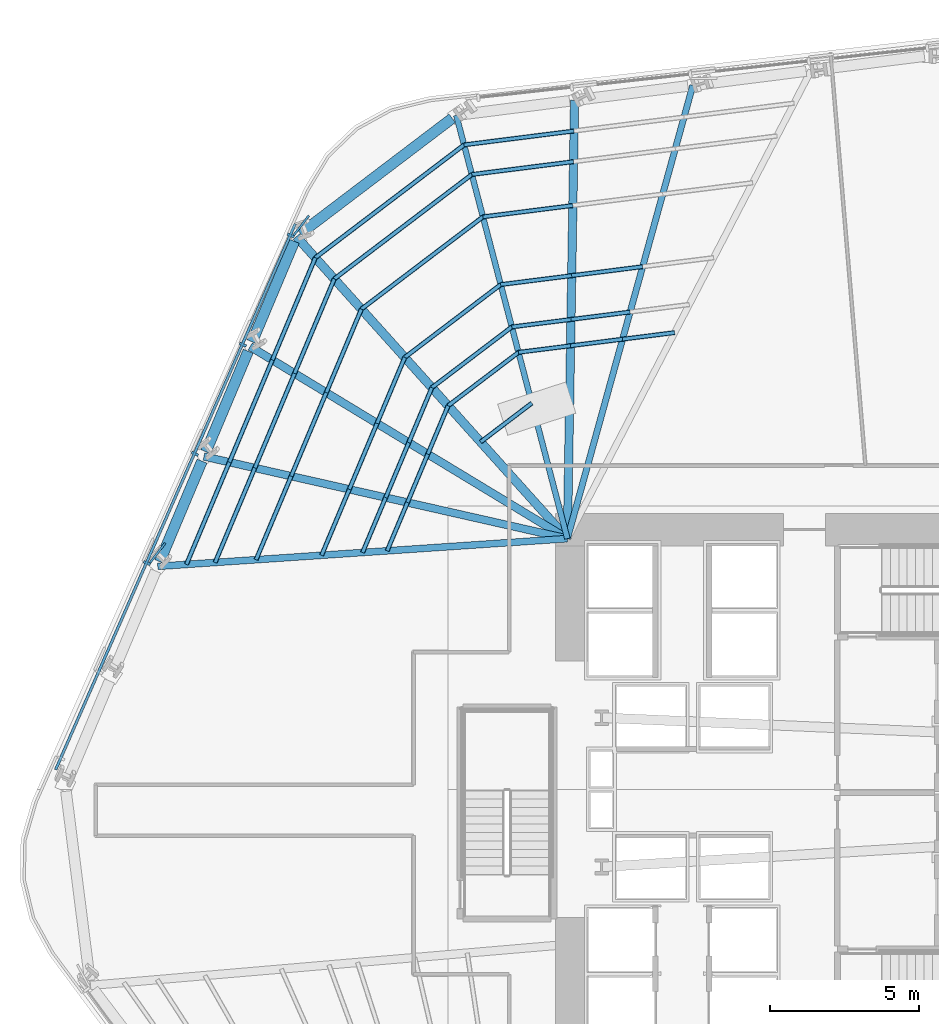
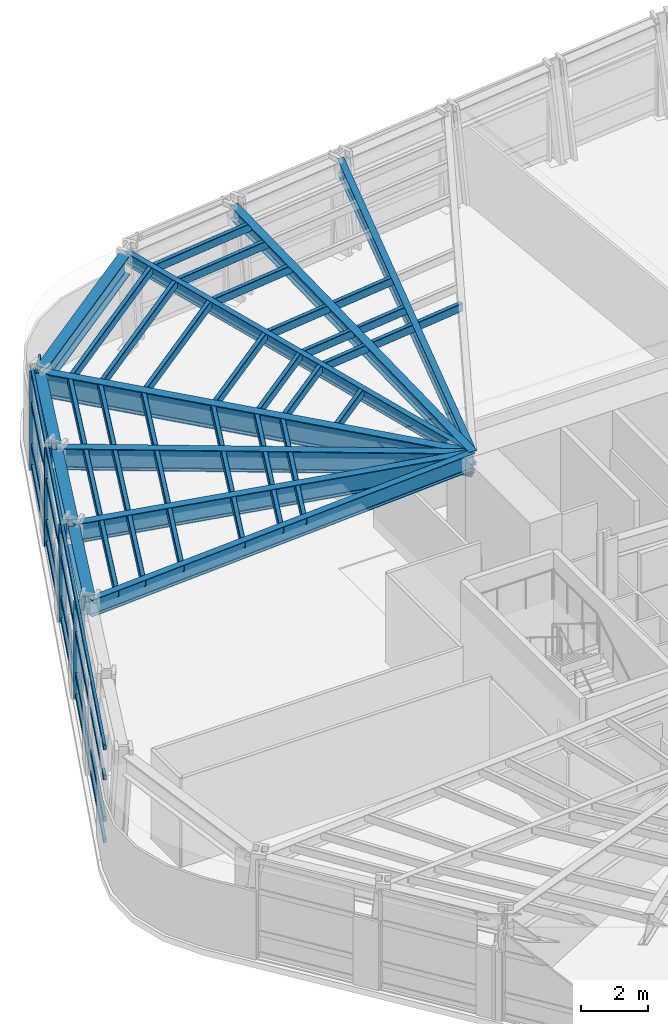
# One storey, part 5 of 16: 45 members, 11 beams, 1 element without a shape of its own.
"""IFC4 building model written with IfcOpenShell, lengths in metres."""

from ifc_helpers import new_model, si_unit, direction, frame, origin, origin_2d, place, context, subcontext, project, spatial, rectangle, hollow_rectangle, i_section, extrude, material, layer, layer_set, material_profile, profile_set, type_object, element, aggregate, save


model = new_model("IFC4")

# Units and contexts
model_context = context("Model", 3, precision=1e-05, world=origin(), true_north=direction((0.0, 1.0)))
body_context = subcontext(model_context, "Body", "Model", "MODEL_VIEW")
ifc_project = project(units=[si_unit("LENGTHUNIT", "METRE"), si_unit("AREAUNIT", "SQUARE_METRE"), si_unit("VOLUMEUNIT", "CUBIC_METRE"), si_unit("PLANEANGLEUNIT", "RADIAN"), si_unit("MASSUNIT", "GRAM", prefix="KILO")], contexts=[model_context])

# Site, building, storey
site_placement = place(None, origin())
site = spatial("IfcSite", under=ifc_project, at=site_placement, CompositionType="ELEMENT")
building_placement = place(site_placement, origin())
building = spatial("IfcBuilding", under=site, at=building_placement, Name="Valkerne Bourse Tower", CompositionType="ELEMENT")
storey_placement = place(building_placement, frame((0.0, 0.0, 50.60009765625)))
storey = spatial("IfcBuildingStorey", under=building, at=storey_placement, Name="L12", CompositionType="ELEMENT", Elevation=50.60009765625)

# Beams
ifc_material_1 = material(Name="Steel ASTM A992", Category="steel")
ifc_material_profile_1 = material_profile(ifc_material_1, i_section(OverallWidth=0.1904296875, OverallDepth=0.457275390625, WebThickness=0.009033203125, FlangeThickness=0.014404296875, FilletRadius=0.01513671875, at=origin_2d()), Name="W18X50")
ifc_profile_set_1 = profile_set([ifc_material_profile_1], Name="Steel ASTM A992")
beam_type_1 = type_object("IfcBeamType", Name="BM-W18X50", PredefinedType="JOIST", material=ifc_profile_set_1)
beam_1_placement = place(storey_placement, frame((33.876708984375, 49.590576171875, 3.351318359375), z_axis=(0.253792068107, -0.967258799994, 0.0), x_axis=(0.967258799994, 0.253792068107, 0.0)))
element("IfcBeam", 1, at=beam_1_placement, inside=storey, type_object=beam_type_1, Name="L12 Radial Composite Floor Beam 11", PredefinedType="JOIST", context=body_context, shape_type="SweptSolid", body=[
    extrude(i_section(OverallWidth=0.1904296875, OverallDepth=0.457275390625, WebThickness=0.009033203125, FlangeThickness=0.014404296875, FilletRadius=0.01513671875, at=origin_2d()), origin(), (0.0, 0.0, 1.0), 14.671142578125),
])
ifc_material_profile_2 = material_profile(ifc_material_1, i_section(OverallWidth=0.279296875, OverallDepth=0.46240234375, WebThickness=0.0107421875, FlangeThickness=0.017333984375, FilletRadius=0.017822265625, at=origin_2d()), Name="W18X76")
ifc_profile_set_2 = profile_set([ifc_material_profile_2], Name="Steel ASTM A992")
beam_type_2 = type_object("IfcBeamType", Name="BM-W18X76", PredefinedType="BEAM", material=ifc_profile_set_2)
beam_2_placement = place(storey_placement, frame((37.84130859375, 50.091552734375, 3.348876953125), z_axis=(-0.016416020491, -0.999865248057, 0.0), x_axis=(0.999865248057, -0.016416020491, 0.0)))
element("IfcBeam", 2, at=beam_2_placement, inside=storey, type_object=beam_type_2, Name="L12 Radial Composite Floor Beam 10", PredefinedType="BEAM", context=body_context, shape_type="SweptSolid", body=[
    extrude(i_section(OverallWidth=0.279296875, OverallDepth=0.46240234375, WebThickness=0.0107421875, FlangeThickness=0.017333984375, FilletRadius=0.017822265625, at=origin_2d()), origin(), (0.0, 0.0, 1.0), 14.693603515625),
])
ifc_material_profile_3 = material_profile(ifc_material_1, i_section(OverallWidth=0.209228515625, OverallDepth=0.533447265625, WebThickness=0.01025390625, FlangeThickness=0.015625, FilletRadius=0.017822265625, at=origin_2d()), Name="W21X62")
ifc_profile_set_3 = profile_set([ifc_material_profile_3], Name="Steel ASTM A992")
beam_type_3 = type_object("IfcBeamType", Name="BM-W21X62", PredefinedType="JOIST", material=ifc_profile_set_3)
beam_3_placement = place(storey_placement, frame((41.8056640625, 50.59228515625, 3.313232421875), z_axis=(-0.266787464212, -0.96375538854, 0.0), x_axis=(0.96375538854, -0.266787464212, 0.0)))
element("IfcBeam", 3, at=beam_3_placement, inside=storey, type_object=beam_type_3, Name="L12 Radial Composite Floor Beam 09", PredefinedType="JOIST", context=body_context, shape_type="SweptSolid", body=[
    extrude(i_section(OverallWidth=0.209228515625, OverallDepth=0.533447265625, WebThickness=0.01025390625, FlangeThickness=0.015625, FilletRadius=0.017822265625, at=origin_2d()), origin(), (0.0, 0.0, 1.0), 15.763671875),
])
ifc_material_profile_4 = material_profile(ifc_material_1, i_section(OverallWidth=0.228271484375, OverallDepth=0.607177734375, WebThickness=0.01123046875, FlangeThickness=0.017333984375, FilletRadius=0.017822265625, at=origin_2d()), Name="W24X76")
ifc_profile_set_4 = profile_set([ifc_material_profile_4], Name="Steel ASTM A992")
beam_type_4 = type_object("IfcBeamType", Name="BM-W24X76", PredefinedType="JOIST", material=ifc_profile_set_4)
beam_4_placement = place(storey_placement, frame((23.871337890625, 34.470947265625, 3.2763671875), z_axis=(0.997718562296, 0.067510521038, 0.0), x_axis=(-0.067510521038, 0.997718562296, 0.0)))
element("IfcBeam", 4, at=beam_4_placement, inside=storey, type_object=beam_type_4, Name="L12 Radial Composite Floor Beam 15", PredefinedType="JOIST", context=body_context, shape_type="SweptSolid", body=[
    extrude(i_section(OverallWidth=0.228271484375, OverallDepth=0.607177734375, WebThickness=0.01123046875, FlangeThickness=0.017333984375, FilletRadius=0.017822265625, at=origin_2d()), origin(), (0.0, 0.0, 1.0), 13.76025390625),
])
ifc_material_profile_5 = material_profile(ifc_material_1, i_section(OverallWidth=0.255859375, OverallDepth=0.693359375, WebThickness=0.014404296875, FlangeThickness=0.023681640625, FilletRadius=0.02294921875, at=origin_2d()), Name="W27X114")
ifc_profile_set_5 = profile_set([ifc_material_profile_5], Name="Steel ASTM A992")
beam_type_5 = type_object("IfcBeamType", Name="BM-W27X114", PredefinedType="BEAM", material=ifc_profile_set_5)
beam_5_placement = place(storey_placement, frame((25.419921875, 38.15478515625, 3.233154296875), z_axis=(0.975363166009, -0.220605290945, 0.0), x_axis=(0.220605290945, 0.975363166009, 0.0)))
element("IfcBeam", 5, at=beam_5_placement, inside=storey, type_object=beam_type_5, Name="L12 Radial Composite Floor Beam 14", PredefinedType="BEAM", context=body_context, shape_type="SweptSolid", body=[
    extrude(i_section(OverallWidth=0.255859375, OverallDepth=0.693359375, WebThickness=0.014404296875, FlangeThickness=0.023681640625, FilletRadius=0.02294921875, at=origin_2d()), origin(), (0.0, 0.0, 1.0), 12.48779296875),
])
ifc_material_profile_6 = material_profile(ifc_material_1, i_section(OverallWidth=0.358154296875, OverallDepth=0.7060546875, WebThickness=0.018310546875, FlangeThickness=0.0302734375, FilletRadius=0.02294921875, at=origin_2d()), Name="W27X178")
ifc_profile_set_6 = profile_set([ifc_material_profile_6], Name="Steel ASTM A992")
beam_type_6 = type_object("IfcBeamType", Name="BM-W27X178", PredefinedType="SPANDREL", material=ifc_profile_set_6)
beam_6_placement = place(storey_placement, frame((33.7412109375, 49.48779296875, 3.226806640625), z_axis=(-0.796519927544, -0.604612276608, 0.0), x_axis=(0.604612276608, -0.796519927544, 0.0)))
element("IfcBeam", 6, at=beam_6_placement, inside=storey, type_object=beam_type_6, Name="L12 Hexagonal Spandrel Ring Beam 11", PredefinedType="SPANDREL", context=body_context, shape_type="SweptSolid", body=[
    extrude(i_section(OverallWidth=0.358154296875, OverallDepth=0.7060546875, WebThickness=0.018310546875, FlangeThickness=0.0302734375, FilletRadius=0.02294921875, at=origin_2d()), origin(), (0.0, 0.0, 1.0), 6.388916015625),
])
beam_7_placement = place(storey_placement, frame((28.450927734375, 45.365478515625, 3.226806640625), z_axis=(-0.38751061227, -0.921865242527, 0.0), x_axis=(0.921865242527, -0.38751061227, 0.0)))
element("IfcBeam", 7, at=beam_7_placement, inside=storey, type_object=beam_type_6, Name="L12 Hexagonal Spandrel Ring Beam 12", PredefinedType="SPANDREL", context=body_context, shape_type="SweptSolid", body=[
    extrude(i_section(OverallWidth=0.358154296875, OverallDepth=0.7060546875, WebThickness=0.018310546875, FlangeThickness=0.0302734375, FilletRadius=0.02294921875, at=origin_2d()), origin(), (0.0, 0.0, 1.0), 3.656005859375),
])
beam_8_placement = place(storey_placement, frame((26.902587890625, 41.681884765625, 3.226806640625), z_axis=(-0.387486758463, -0.921875269229, 0.0), x_axis=(0.921875269229, -0.387486758463, 0.0)))
element("IfcBeam", 8, at=beam_8_placement, inside=storey, type_object=beam_type_6, Name="L12 Hexagonal Spandrel Ring Beam 13", PredefinedType="SPANDREL", context=body_context, shape_type="SweptSolid", body=[
    extrude(i_section(OverallWidth=0.358154296875, OverallDepth=0.7060546875, WebThickness=0.018310546875, FlangeThickness=0.0302734375, FilletRadius=0.02294921875, at=origin_2d()), origin(), (0.0, 0.0, 1.0), 3.65625),
])
beam_9_placement = place(storey_placement, frame((25.35400390625, 37.998046875, 3.226806640625), z_axis=(-0.38751061227, -0.921865242527, 0.0), x_axis=(0.921865242527, -0.38751061227, 0.0)))
element("IfcBeam", 9, at=beam_9_placement, inside=storey, type_object=beam_type_6, Name="L12 Hexagonal Spandrel Ring Beam 14", PredefinedType="SPANDREL", context=body_context, shape_type="SweptSolid", body=[
    extrude(i_section(OverallWidth=0.358154296875, OverallDepth=0.7060546875, WebThickness=0.018310546875, FlangeThickness=0.0302734375, FilletRadius=0.02294921875, at=origin_2d()), origin(), (0.0, 0.0, 1.0), 3.656005859375),
])
ifc_material_profile_7 = material_profile(ifc_material_1, i_section(OverallWidth=0.26806640625, OverallDepth=0.76953125, WebThickness=0.015625, FlangeThickness=0.025390625, FilletRadius=0.025390625, at=origin_2d()), Name="W30X132")
ifc_profile_set_7 = profile_set([ifc_material_profile_7], Name="Steel ASTM A992")
beam_type_7 = type_object("IfcBeamType", Name="BM-W30X132", PredefinedType="BEAM", material=ifc_profile_set_7)
beam_10_placement = place(storey_placement, frame((26.968505859375, 41.83837890625, 3.195068359375), z_axis=(0.855372969212, -0.518012628747, 0.0), x_axis=(0.518012628747, 0.855372969212, 0.0)))
element("IfcBeam", 10, at=beam_10_placement, inside=storey, type_object=beam_type_7, Name="L12 Radial Composite Floor Beam 13", PredefinedType="BEAM", context=body_context, shape_type="SweptSolid", body=[
    extrude(i_section(OverallWidth=0.26806640625, OverallDepth=0.76953125, WebThickness=0.015625, FlangeThickness=0.025390625, FilletRadius=0.025390625, at=origin_2d()), origin(), (0.0, 0.0, 1.0), 12.42919921875),
])
ifc_material_profile_8 = material_profile(ifc_material_1, i_section(OverallWidth=0.2919921875, OverallDepth=0.8583984375, WebThickness=0.01708984375, FlangeThickness=0.031005859375, FilletRadius=0.025390625, at=origin_2d()), Name="W33X169")
ifc_profile_set_8 = profile_set([ifc_material_profile_8], Name="Steel ASTM A992")
beam_type_8 = type_object("IfcBeamType", Name="BM-W33X169", PredefinedType="BEAM", material=ifc_profile_set_8)
beam_11_placement = place(storey_placement, frame((28.516845703125, 45.522216796875, 3.150634765625), z_axis=(0.667874047819, -0.744274315189, 0.0), x_axis=(0.744274315189, 0.667874047819, 0.0)))
element("IfcBeam", 11, at=beam_11_placement, inside=storey, type_object=beam_type_8, Name="L12 Radial Composite Floor Beam 12", PredefinedType="BEAM", context=body_context, shape_type="SweptSolid", body=[
    extrude(i_section(OverallWidth=0.2919921875, OverallDepth=0.8583984375, WebThickness=0.01708984375, FlangeThickness=0.031005859375, FilletRadius=0.025390625, at=origin_2d()), origin(), (0.0, 0.0, 1.0), 13.600341796875),
])

# Curtain wall, members
ifc_material_2 = material(Name="Aluminium AA 6063-T6", Category="aluminium")
ifc_layer = layer(ifc_material_2, 0.22509765625)
ifc_layer_set = layer_set([ifc_layer], Name="Aluminium AA 6063-T6")
curtain_wall_type = type_object("IfcCurtainWallType", Name="CW-01", PredefinedType="NOTDEFINED", material=ifc_layer_set)
curtain_wall_placement = place(storey_placement, origin())
curtain_wall = element("IfcCurtainWall", 12, at=curtain_wall_placement, inside=storey, type_object=curtain_wall_type, Name="L12 Hexagonal Stick Curtain Wall Face 3", PredefinedType="NOTDEFINED")
ifc_material_profile_9 = material_profile(ifc_material_2, rectangle(XDim=0.090087890625, YDim=0.239990234375, at=origin_2d()), Name="CWM-90X240")
ifc_profile_set_9 = profile_set([ifc_material_profile_9], Name="Aluminium AA 6063-T6")
member_type_1 = type_object("IfcMemberType", Name="CW-MUL-240X90", PredefinedType="MULLION", material=ifc_profile_set_9)
member_1_placement = place(storey_placement, frame((28.330078125, 45.559326171875, 0.0), z_axis=(0.0, 0.0, 1.0), x_axis=(-0.401950146606, -0.915661553001, 0.0)))
member_1 = element("IfcMember", 13, at=member_1_placement, type_object=member_type_1, Name="CW-L12-F3 Jamb Mullion 00A", PredefinedType="MULLION", context=body_context, shape_type="SweptSolid", body=[
    extrude(rectangle(XDim=0.090087890625, YDim=0.239990234375, at=origin_2d()), origin(), (0.0, 0.0, 1.0), 3.579833984375),
])
member_2_placement = place(storey_placement, frame((26.723876953125, 41.900390625, 0.0), z_axis=(0.0, 0.0, 1.0), x_axis=(-0.401950146606, -0.915661553001, 0.0)))
member_2 = element("IfcMember", 14, at=member_2_placement, type_object=member_type_1, Name="CW-L12-F3 Jamb Mullion 01A", PredefinedType="MULLION", context=body_context, shape_type="SweptSolid", body=[
    extrude(rectangle(XDim=0.090087890625, YDim=0.239990234375, at=origin_2d()), origin(), (0.0, 0.0, 1.0), 3.579833984375),
])
member_3_placement = place(storey_placement, frame((25.11767578125, 38.2412109375, 0.0), z_axis=(0.0, 0.0, 1.0), x_axis=(-0.401950146606, -0.915661553001, 0.0)))
member_3 = element("IfcMember", 15, at=member_3_placement, type_object=member_type_1, Name="CW-L12-F3 Jamb Mullion 02A", PredefinedType="MULLION", context=body_context, shape_type="SweptSolid", body=[
    extrude(rectangle(XDim=0.090087890625, YDim=0.239990234375, at=origin_2d()), origin(), (0.0, 0.0, 1.0), 3.579833984375),
])
member_4_placement = place(storey_placement, frame((23.511474609375, 34.582275390625, 0.0), z_axis=(0.0, 0.0, 1.0), x_axis=(-0.401950146606, -0.915661553001, 0.0)))
member_4 = element("IfcMember", 16, at=member_4_placement, type_object=member_type_1, Name="CW-L12-F3 Jamb Mullion 03A", PredefinedType="MULLION", context=body_context, shape_type="SweptSolid", body=[
    extrude(rectangle(XDim=0.090087890625, YDim=0.239990234375, at=origin_2d()), origin(), (0.0, 0.0, 1.0), 3.579833984375),
])
ifc_material_profile_10 = material_profile(ifc_material_2, rectangle(XDim=0.090087890625, YDim=0.179931640625, at=origin_2d()), Name="CWT-90X180")
ifc_profile_set_10 = profile_set([ifc_material_profile_10], Name="Aluminium AA 6063-T6")
member_type_2 = type_object("IfcMemberType", Name="CW-TRN-180X90", PredefinedType="USERDEFINED", material=ifc_profile_set_10)
member_5_placement = place(storey_placement, frame((28.48046875, 45.951904296875, 0.119873046875), z_axis=(-0.401941586511, -0.915665310598, 0.0), x_axis=(0.915665310598, -0.401941586511, 0.0)))
member_5 = element("IfcMember", 17, at=member_5_placement, type_object=member_type_2, Name="CW-L12-F3 Continuous Face Transom 1", ObjectType="TRANSOM", PredefinedType="USERDEFINED", context=body_context, shape_type="SweptSolid", body=[
    extrude(rectangle(XDim=0.090087890625, YDim=0.179931640625, at=origin_2d()), origin(), (0.0, 0.0, 1.0), 19.97998046875),
])
member_6_placement = place(storey_placement, frame((28.48046875, 45.951904296875, 0.89990234375), z_axis=(-0.401941586511, -0.915665310598, 0.0), x_axis=(0.915665310598, -0.401941586511, 0.0)))
member_6 = element("IfcMember", 18, at=member_6_placement, type_object=member_type_2, Name="CW-L12-F3 Continuous Face Transom 2", ObjectType="TRANSOM", PredefinedType="USERDEFINED", context=body_context, shape_type="SweptSolid", body=[
    extrude(rectangle(XDim=0.090087890625, YDim=0.179931640625, at=origin_2d()), origin(), (0.0, 0.0, 1.0), 19.97998046875),
])
member_7_placement = place(storey_placement, frame((28.48046875, 45.951904296875, 2.39990234375), z_axis=(-0.401941586511, -0.915665310598, 0.0), x_axis=(0.915665310598, -0.401941586511, 0.0)))
member_7 = element("IfcMember", 19, at=member_7_placement, type_object=member_type_2, Name="CW-L12-F3 Continuous Face Transom 3", ObjectType="TRANSOM", PredefinedType="USERDEFINED", context=body_context, shape_type="SweptSolid", body=[
    extrude(rectangle(XDim=0.090087890625, YDim=0.179931640625, at=origin_2d()), origin(), (0.0, 0.0, 1.0), 19.97998046875),
])
member_8_placement = place(storey_placement, frame((28.48046875, 45.951904296875, 3.5), z_axis=(-0.401941586511, -0.915665310598, 0.0), x_axis=(0.915665310598, -0.401941586511, 0.0)))
member_8 = element("IfcMember", 20, at=member_8_placement, type_object=member_type_2, Name="CW-L12-F3 Continuous Face Transom 4", ObjectType="TRANSOM", PredefinedType="USERDEFINED", context=body_context, shape_type="SweptSolid", body=[
    extrude(rectangle(XDim=0.090087890625, YDim=0.179931640625, at=origin_2d()), origin(), (0.0, 0.0, 1.0), 19.97998046875),
])
aggregate(curtain_wall, [member_5, member_6, member_7, member_8, member_1, member_2, member_3, member_4])

# Members
ifc_material_3 = material(Name="Bronze Anodised Aluminium AA 6063-T6", Category="aluminium")
ifc_material_profile_11 = material_profile(ifc_material_3, rectangle(XDim=0.070068359375, YDim=0.89990234375, at=origin_2d()), Name="FIN-70X900")
ifc_profile_set_11 = profile_set([ifc_material_profile_11], Name="Bronze Anodised Aluminium AA 6063-T6")
member_type_3 = type_object("IfcMemberType", Name="FIN-SOLAR-900", PredefinedType="USERDEFINED", material=ifc_profile_set_11)
for number, where, z_axis, x_axis, name in (
    (21, (28.66357421875, 45.87158203125, 0.00390625), (0.0, 0.0, 1.0), (-0.791960231106, 0.610572675728, 0.0), "L12 Bronze Anodised Solar Fin F3-00"),
    (22, (23.844970703125, 34.89453125, 0.00390625), (0.0, 0.0, 1.0), (-0.791960231106, 0.610572675728, 0.0), "L12 Bronze Anodised Solar Fin F3-03"),
):
    element("IfcMember", number, at=place(storey_placement, frame(where, z_axis=z_axis, x_axis=x_axis)), inside=storey, type_object=member_type_3, Name=name, ObjectType="SOLAR_FIN", PredefinedType="USERDEFINED", context=body_context, shape_type="SweptSolid", body=[
        extrude(rectangle(XDim=0.070068359375, YDim=0.89990234375, at=origin_2d()), origin(), (0.0, 0.0, 1.0), 3.572021484375),
    ])
ifc_material_4 = material(Name="Steel ASTM A500 Grade C", Category="steel")
ifc_material_profile_12 = material_profile(ifc_material_4, hollow_rectangle(XDim=0.14990234375, YDim=0.300048828125, WallThickness=0.012451171875, OuterFilletRadius=0.02490234375, at=origin_2d()), Name="HSS300X150X12.5")
ifc_profile_set_12 = profile_set([ifc_material_profile_12], Name="Steel ASTM A500 Grade C")
member_type_4 = type_object("IfcMemberType", Name="MBR-HSS300X150X12.5", PredefinedType="PURLIN", material=ifc_profile_set_12)
member_9_placement = place(storey_placement, frame((36.408447265625, 39.94091796875, 3.419921875), z_axis=(-0.796544400391, -0.604580034574, 0.0), x_axis=(0.604580034574, -0.796544400391, 0.0)))
element("IfcMember", 23, at=member_9_placement, inside=storey, type_object=member_type_4, Name="L12 Secondary Composite Floor Purlin I-11", PredefinedType="PURLIN", context=body_context, shape_type="SweptSolid", body=[
    extrude(hollow_rectangle(XDim=0.14990234375, YDim=0.300048828125, WallThickness=0.012451171875, OuterFilletRadius=0.02490234375, at=origin_2d()), origin(), (0.0, 0.0, 1.0), 2.153076171875),
])
for number, where, z_axis, x_axis, name in (
    (24, (41.19482421875, 42.304931640625, 3.419921875), (-0.992125461454, -0.125248028864, 0.0), (0.125248028864, -0.992125461454, 0.0), "L12 Secondary Composite Floor Purlin K-08"),
    (25, (39.450439453125, 42.084716796875, 3.419921875), (-0.992108197861, -0.125384702963, 0.0), (0.125384702963, -0.992108197861, 0.0), "L12 Secondary Composite Floor Purlin K-09"),
    (26, (37.7060546875, 41.8642578125, 3.419921875), (-0.992108197861, -0.125384702963, 0.0), (0.125384702963, -0.992108197861, 0.0), "L12 Secondary Composite Floor Purlin K-10"),
):
    element("IfcMember", number, at=place(storey_placement, frame(where, z_axis=z_axis, x_axis=x_axis)), inside=storey, type_object=member_type_4, Name=name, PredefinedType="PURLIN", context=body_context, shape_type="SweptSolid", body=[
        extrude(hollow_rectangle(XDim=0.14990234375, YDim=0.300048828125, WallThickness=0.012451171875, OuterFilletRadius=0.02490234375, at=origin_2d()), origin(), (0.0, 0.0, 1.0), 1.75830078125),
    ])
member_10_placement = place(storey_placement, frame((35.961669921875, 41.643798828125, 3.419921875), z_axis=(-0.796513240047, -0.604621086657, 0.0), x_axis=(0.604621086657, -0.796513240047, 0.0)))
element("IfcMember", 27, at=member_10_placement, inside=storey, type_object=member_type_4, Name="L12 Secondary Composite Floor Purlin K-11", PredefinedType="PURLIN", context=body_context, shape_type="SweptSolid", body=[
    extrude(hollow_rectangle(XDim=0.14990234375, YDim=0.300048828125, WallThickness=0.012451171875, OuterFilletRadius=0.02490234375, at=origin_2d()), origin(), (0.0, 0.0, 1.0), 2.960693359375),
])
for number, where, z_axis, x_axis, name in (
    (28, (33.603515625, 39.853759765625, 3.419921875), (-0.387541709141, -0.921852170186, 0.0), (0.921852170186, -0.387541709141, 0.0), "L12 Secondary Composite Floor Purlin K-12"),
    (29, (32.922119140625, 38.23291015625, 3.419921875), (-0.387541709141, -0.921852170186, 0.0), (0.921852170186, -0.387541709141, 0.0), "L12 Secondary Composite Floor Purlin K-13"),
    (30, (32.24072265625, 36.612060546875, 3.419921875), (-0.387541709141, -0.921852170186, 0.0), (0.921852170186, -0.387541709141, 0.0), "L12 Secondary Composite Floor Purlin K-14"),
):
    element("IfcMember", number, at=place(storey_placement, frame(where, z_axis=z_axis, x_axis=x_axis)), inside=storey, type_object=member_type_4, Name=name, PredefinedType="PURLIN", context=body_context, shape_type="SweptSolid", body=[
        extrude(hollow_rectangle(XDim=0.14990234375, YDim=0.300048828125, WallThickness=0.012451171875, OuterFilletRadius=0.02490234375, at=origin_2d()), origin(), (0.0, 0.0, 1.0), 1.75830078125),
    ])
member_11_placement = place(storey_placement, frame((39.702880859375, 42.99609375, 3.419921875), z_axis=(-0.992124851511, -0.125252860303, 0.0), x_axis=(0.125252860303, -0.992124851511, 0.0)))
element("IfcMember", 31, at=member_11_placement, inside=storey, type_object=member_type_4, Name="L12 Secondary Composite Floor Purlin M-09", PredefinedType="PURLIN", context=body_context, shape_type="SweptSolid", body=[
    extrude(hollow_rectangle(XDim=0.14990234375, YDim=0.300048828125, WallThickness=0.012451171875, OuterFilletRadius=0.02490234375, at=origin_2d()), origin(), (0.0, 0.0, 1.0), 1.997802734375),
])
member_12_placement = place(storey_placement, frame((37.720703125, 42.745849609375, 3.419921875), z_axis=(-0.992111579729, -0.125357940985, 0.0), x_axis=(0.125357940985, -0.992111579729, 0.0)))
element("IfcMember", 32, at=member_12_placement, inside=storey, type_object=member_type_4, Name="L12 Secondary Composite Floor Purlin M-10", PredefinedType="PURLIN", context=body_context, shape_type="SweptSolid", body=[
    extrude(hollow_rectangle(XDim=0.14990234375, YDim=0.300048828125, WallThickness=0.012451171875, OuterFilletRadius=0.02490234375, at=origin_2d()), origin(), (0.0, 0.0, 1.0), 1.998291015625),
])
member_13_placement = place(storey_placement, frame((35.73828125, 42.495361328125, 3.419921875), z_axis=(-0.796503268293, -0.604634222979, 0.0), x_axis=(0.604634222979, -0.796503268293, 0.0)))
element("IfcMember", 33, at=member_13_placement, inside=storey, type_object=member_type_4, Name="L12 Secondary Composite Floor Purlin M-11", PredefinedType="PURLIN", context=body_context, shape_type="SweptSolid", body=[
    extrude(hollow_rectangle(XDim=0.14990234375, YDim=0.300048828125, WallThickness=0.012451171875, OuterFilletRadius=0.02490234375, at=origin_2d()), origin(), (0.0, 0.0, 1.0), 3.3642578125),
])
for number, where, z_axis, x_axis, name in (
    (34, (33.05859375, 40.461181640625, 3.419921875), (-0.387598079076, -0.921828470539, 0.0), (0.921828470539, -0.387598079076, 0.0), "L12 Secondary Composite Floor Purlin M-12"),
    (35, (32.2841796875, 38.619384765625, 3.419921875), (-0.38745058793, -0.921890471755, 0.0), (0.921890471755, -0.38745058793, 0.0), "L12 Secondary Composite Floor Purlin M-13"),
    (36, (31.510009765625, 36.77734375, 3.419921875), (-0.387598079076, -0.921828470539, 0.0), (0.921828470539, -0.387598079076, 0.0), "L12 Secondary Composite Floor Purlin M-14"),
):
    element("IfcMember", number, at=place(storey_placement, frame(where, z_axis=z_axis, x_axis=x_axis)), inside=storey, type_object=member_type_4, Name=name, PredefinedType="PURLIN", context=body_context, shape_type="SweptSolid", body=[
        extrude(hollow_rectangle(XDim=0.14990234375, YDim=0.300048828125, WallThickness=0.012451171875, OuterFilletRadius=0.02490234375, at=origin_2d()), origin(), (0.0, 0.0, 1.0), 1.998046875),
    ])
member_14_placement = place(storey_placement, frame((37.783203125, 46.5654296875, 3.419921875), z_axis=(-0.992115009792, -0.125330791692, 0.0), x_axis=(0.125330791692, -0.992115009792, 0.0)))
element("IfcMember", 37, at=member_14_placement, inside=storey, type_object=member_type_4, Name="L12 Secondary Composite Floor Purlin O-10", PredefinedType="PURLIN", context=body_context, shape_type="SweptSolid", body=[
    extrude(hollow_rectangle(XDim=0.14990234375, YDim=0.300048828125, WallThickness=0.012451171875, OuterFilletRadius=0.02490234375, at=origin_2d()), origin(), (0.0, 0.0, 1.0), 3.036865234375),
])
member_15_placement = place(storey_placement, frame((34.770263671875, 46.184814453125, 3.419921875), z_axis=(-0.796543811312, -0.604580810695, 0.0), x_axis=(0.604580810695, -0.796543811312, 0.0)))
element("IfcMember", 38, at=member_15_placement, inside=storey, type_object=member_type_4, Name="L12 Secondary Composite Floor Purlin O-11", PredefinedType="PURLIN", context=body_context, shape_type="SweptSolid", body=[
    extrude(hollow_rectangle(XDim=0.14990234375, YDim=0.300048828125, WallThickness=0.012451171875, OuterFilletRadius=0.02490234375, at=origin_2d()), origin(), (0.0, 0.0, 1.0), 5.114013671875),
])
member_16_placement = place(storey_placement, frame((30.69677734375, 43.093017578125, 3.419921875), z_axis=(-0.387467538795, -0.92188334749, 0.0), x_axis=(0.92188334749, -0.387467538795, 0.0)))
element("IfcMember", 39, at=member_16_placement, inside=storey, type_object=member_type_4, Name="L12 Secondary Composite Floor Purlin O-12", PredefinedType="PURLIN", context=body_context, shape_type="SweptSolid", body=[
    extrude(hollow_rectangle(XDim=0.14990234375, YDim=0.300048828125, WallThickness=0.012451171875, OuterFilletRadius=0.02490234375, at=origin_2d()), origin(), (0.0, 0.0, 1.0), 3.037109375),
])
for number, where, z_axis, x_axis, name in (
    (40, (29.52001953125, 40.293212890625, 3.419921875), (-0.387564574005, -0.921842557586, 0.0), (0.921842557586, -0.387564574005, 0.0), "L12 Secondary Composite Floor Purlin O-13"),
    (41, (28.343017578125, 37.49365234375, 3.419921875), (-0.387496255124, -0.921871277492, 0.0), (0.921871277492, -0.387496255124, 0.0), "L12 Secondary Composite Floor Purlin O-14"),
):
    element("IfcMember", number, at=place(storey_placement, frame(where, z_axis=z_axis, x_axis=x_axis)), inside=storey, type_object=member_type_4, Name=name, PredefinedType="PURLIN", context=body_context, shape_type="SweptSolid", body=[
        extrude(hollow_rectangle(XDim=0.14990234375, YDim=0.300048828125, WallThickness=0.012451171875, OuterFilletRadius=0.02490234375, at=origin_2d()), origin(), (0.0, 0.0, 1.0), 3.036865234375),
    ])
for number, where, z_axis, x_axis, name in (
    (42, (40.123291015625, 44.515380859375, 3.419921875), (-0.992112512366, -0.125350559655, 0.0), (0.125350559655, -0.992112512366, 0.0), "L12 Secondary Composite Floor Purlin Z-09"),
    (43, (37.74462890625, 44.21484375, 3.419921875), (-0.992112512366, -0.125350559655, 0.0), (0.125350559655, -0.992112512366, 0.0), "L12 Secondary Composite Floor Purlin Z-10"),
):
    element("IfcMember", number, at=place(storey_placement, frame(where, z_axis=z_axis, x_axis=x_axis)), inside=storey, type_object=member_type_4, Name=name, PredefinedType="PURLIN", context=body_context, shape_type="SweptSolid", body=[
        extrude(hollow_rectangle(XDim=0.14990234375, YDim=0.300048828125, WallThickness=0.012451171875, OuterFilletRadius=0.02490234375, at=origin_2d()), origin(), (0.0, 0.0, 1.0), 2.3974609375),
    ])
member_17_placement = place(storey_placement, frame((35.365966796875, 43.914306640625, 3.419921875), z_axis=(-0.796532602353, -0.604595578373, 0.0), x_axis=(0.604595578373, -0.796532602353, 0.0)))
element("IfcMember", 44, at=member_17_placement, inside=storey, type_object=member_type_4, Name="L12 Secondary Composite Floor Purlin Z-11", PredefinedType="PURLIN", context=body_context, shape_type="SweptSolid", body=[
    extrude(hollow_rectangle(XDim=0.14990234375, YDim=0.300048828125, WallThickness=0.012451171875, OuterFilletRadius=0.02490234375, at=origin_2d()), origin(), (0.0, 0.0, 1.0), 4.037353515625),
])
for number, where, z_axis, x_axis, name in (
    (45, (32.150146484375, 41.473388671875, 3.419921875), (-0.387556190137, -0.921846082319, 0.0), (0.921846082319, -0.387556190137, 0.0), "L12 Secondary Composite Floor Purlin Z-12"),
    (46, (31.220947265625, 39.26318359375, 3.419921875), (-0.387433280499, -0.921897745502, 0.0), (0.921897745502, -0.387433280499, 0.0), "L12 Secondary Composite Floor Purlin Z-13"),
    (47, (30.2919921875, 37.052734375, 3.419921875), (-0.387556190137, -0.921846082319, 0.0), (0.921846082319, -0.387556190137, 0.0), "L12 Secondary Composite Floor Purlin Z-14"),
):
    element("IfcMember", number, at=place(storey_placement, frame(where, z_axis=z_axis, x_axis=x_axis)), inside=storey, type_object=member_type_4, Name=name, PredefinedType="PURLIN", context=body_context, shape_type="SweptSolid", body=[
        extrude(hollow_rectangle(XDim=0.14990234375, YDim=0.300048828125, WallThickness=0.012451171875, OuterFilletRadius=0.02490234375, at=origin_2d()), origin(), (0.0, 0.0, 1.0), 2.397705078125),
    ])
member_18_placement = place(storey_placement, frame((37.807373046875, 48.03466796875, 3.419921875), z_axis=(-0.992116377625, -0.125319963489, 0.0), x_axis=(0.125319963489, -0.992116377625, 0.0)))
element("IfcMember", 48, at=member_18_placement, inside=storey, type_object=member_type_4, Name="L12 Secondary Composite Floor Purlin T-10", PredefinedType="PURLIN", context=body_context, shape_type="SweptSolid", body=[
    extrude(hollow_rectangle(XDim=0.14990234375, YDim=0.300048828125, WallThickness=0.012451171875, OuterFilletRadius=0.02490234375, at=origin_2d()), origin(), (0.0, 0.0, 1.0), 3.4365234375),
])
member_19_placement = place(storey_placement, frame((34.39794921875, 47.60400390625, 3.419921875), z_axis=(-0.796523822594, -0.604607145211, 0.0), x_axis=(0.604607145211, -0.796523822594, 0.0)))
element("IfcMember", 49, at=member_19_placement, inside=storey, type_object=member_type_4, Name="L12 Secondary Composite Floor Purlin T-11", PredefinedType="PURLIN", context=body_context, shape_type="SweptSolid", body=[
    extrude(hollow_rectangle(XDim=0.14990234375, YDim=0.300048828125, WallThickness=0.012451171875, OuterFilletRadius=0.02490234375, at=origin_2d()), origin(), (0.0, 0.0, 1.0), 5.786865234375),
])
member_20_placement = place(storey_placement, frame((29.78857421875, 44.105224609375, 3.419921875), z_axis=(-0.387513865865, -0.921863874855, 0.0), x_axis=(0.921863874855, -0.387513865865, 0.0)))
element("IfcMember", 50, at=member_20_placement, inside=storey, type_object=member_type_4, Name="L12 Secondary Composite Floor Purlin T-12", PredefinedType="PURLIN", context=body_context, shape_type="SweptSolid", body=[
    extrude(hollow_rectangle(XDim=0.14990234375, YDim=0.300048828125, WallThickness=0.012451171875, OuterFilletRadius=0.02490234375, at=origin_2d()), origin(), (0.0, 0.0, 1.0), 3.436767578125),
])
for number, where, z_axis, x_axis, name in (
    (51, (28.456787109375, 40.93701171875, 3.419921875), (-0.387539244746, -0.9218532062, 0.0), (0.9218532062, -0.387539244746, 0.0), "L12 Secondary Composite Floor Purlin T-13"),
    (52, (27.125, 37.76904296875, 3.419921875), (-0.387539244746, -0.9218532062, 0.0), (0.9218532062, -0.387539244746, 0.0), "L12 Secondary Composite Floor Purlin T-14"),
):
    element("IfcMember", number, at=place(storey_placement, frame(where, z_axis=z_axis, x_axis=x_axis)), inside=storey, type_object=member_type_4, Name=name, PredefinedType="PURLIN", context=body_context, shape_type="SweptSolid", body=[
        extrude(hollow_rectangle(XDim=0.14990234375, YDim=0.300048828125, WallThickness=0.012451171875, OuterFilletRadius=0.02490234375, at=origin_2d()), origin(), (0.0, 0.0, 1.0), 3.4365234375),
    ])
member_21_placement = place(storey_placement, frame((37.82421875, 49.06298828125, 3.419921875), z_axis=(-0.992121449541, -0.125279804282, 0.0), x_axis=(0.125279804282, -0.992121449541, 0.0)))
element("IfcMember", 53, at=member_21_placement, inside=storey, type_object=member_type_4, Name="L12 Secondary Composite Floor Purlin U-10", PredefinedType="PURLIN", context=body_context, shape_type="SweptSolid", body=[
    extrude(hollow_rectangle(XDim=0.14990234375, YDim=0.300048828125, WallThickness=0.012451171875, OuterFilletRadius=0.02490234375, at=origin_2d()), origin(), (0.0, 0.0, 1.0), 3.71630859375),
])
member_22_placement = place(storey_placement, frame((34.13720703125, 48.597412109375, 3.419921875), z_axis=(-0.796517639899, -0.604615290354, 0.0), x_axis=(0.604615290354, -0.796517639899, 0.0)))
element("IfcMember", 54, at=member_22_placement, inside=storey, type_object=member_type_4, Name="L12 Secondary Composite Floor Purlin U-11", PredefinedType="PURLIN", context=body_context, shape_type="SweptSolid", body=[
    extrude(hollow_rectangle(XDim=0.14990234375, YDim=0.300048828125, WallThickness=0.012451171875, OuterFilletRadius=0.02490234375, at=origin_2d()), origin(), (0.0, 0.0, 1.0), 6.258056640625),
])
for number, where, z_axis, x_axis, name in (
    (55, (29.152587890625, 44.813720703125, 3.419921875), (-0.387463663508, -0.921884976264, 0.0), (0.921884976264, -0.387463663508, 0.0), "L12 Secondary Composite Floor Purlin U-12"),
    (56, (27.712646484375, 41.3876953125, 3.419921875), (-0.387542962131, -0.921851643434, 0.0), (0.921851643434, -0.387542962131, 0.0), "L12 Secondary Composite Floor Purlin U-13"),
    (57, (26.2724609375, 37.9619140625, 3.419921875), (-0.387519492926, -0.921861509448, 0.0), (0.921861509448, -0.387519492926, 0.0), "L12 Secondary Composite Floor Purlin U-14"),
):
    element("IfcMember", number, at=place(storey_placement, frame(where, z_axis=z_axis, x_axis=x_axis)), inside=storey, type_object=member_type_4, Name=name, PredefinedType="PURLIN", context=body_context, shape_type="SweptSolid", body=[
        extrude(hollow_rectangle(XDim=0.14990234375, YDim=0.300048828125, WallThickness=0.012451171875, OuterFilletRadius=0.02490234375, at=origin_2d()), origin(), (0.0, 0.0, 1.0), 3.71630859375),
    ])

save(model, "model.ifc")
